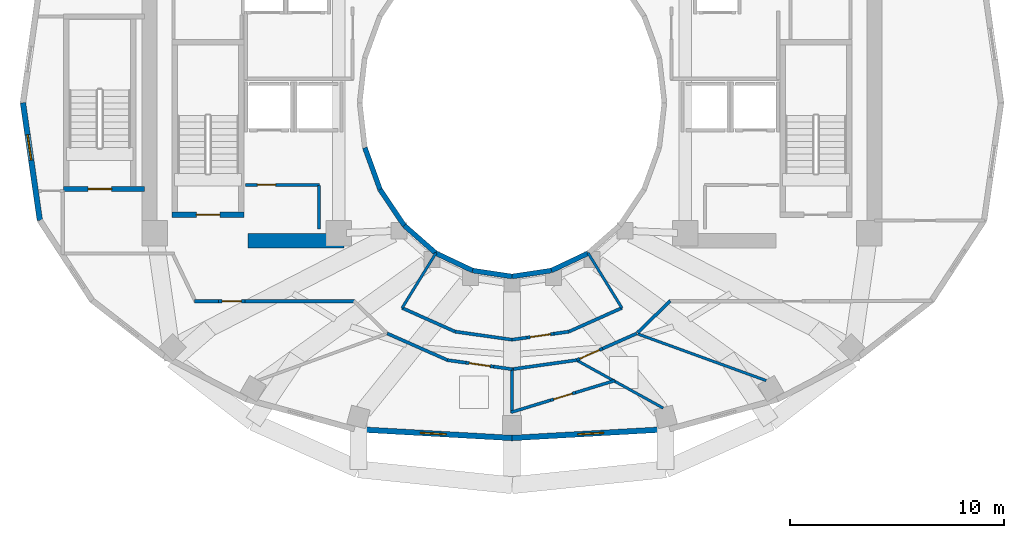
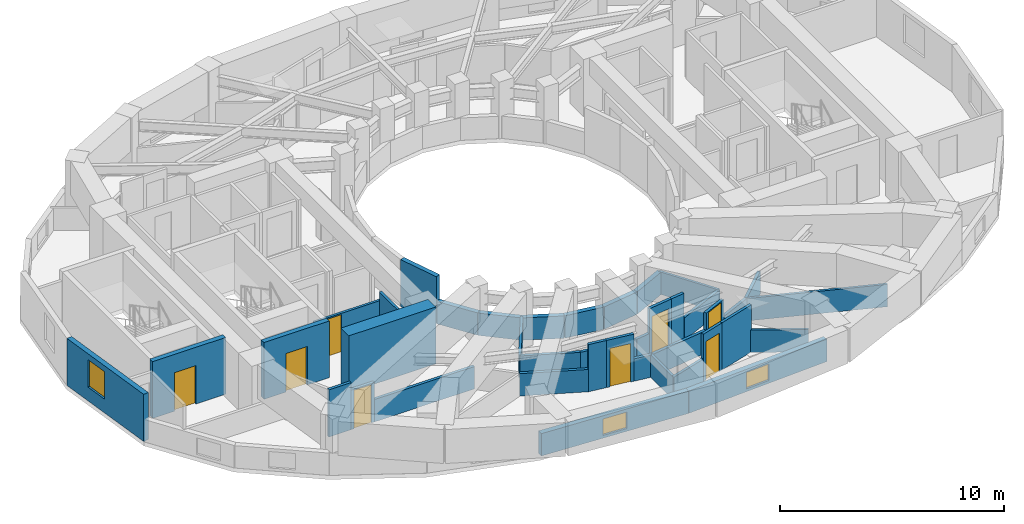
# One storey, part 3 of 9: 40 walls, 8 doors, 3 windows, 11 openings.
"""IFC4 building model written with IfcOpenShell, lengths in metres."""

import ifcopenshell
import ifcopenshell.guid

model = None  # the IFC model being written
_history = None  # IfcOwnerHistory: only IFC2X3 demands one
_inside = {}  # id of a spatial element -> (the spatial element, [elements in it])
_under = {}  # id of a project, library or spatial element -> (it, [spatial elements below it])
_declared = {}  # id of a project -> (the project, [libraries it declares])
_typed = {}  # id of a type object -> (the type object, [elements of that type])
_made_of = {}  # id of a material, layer set ... -> (it, [elements and type objects made of it])


def new_model(schema):
    """Start an empty IFC model of exactly this schema.

    Asked for "IFC4X3", IfcOpenShell would pick the latest addendum, in which some entities
    have other attributes; the version numbers below select the first issue.
    IFC2X3 requires an IfcOwnerHistory on every rooted entity: one is made here for all.
    """
    global model, _history
    if schema == "IFC4X3":
        model = ifcopenshell.file(schema_version=(4, 3, 0, 0))
    else:
        model = ifcopenshell.file(schema=schema)
    _inside.clear()
    _under.clear()
    _declared.clear()
    _typed.clear()
    _made_of.clear()
    _history = None
    if model.schema == "IFC2X3":
        org = make("IfcOrganization", Name="unknown")
        user = make(
            "IfcPersonAndOrganization",
            ThePerson=make("IfcPerson", FamilyName="unknown"),
            TheOrganization=org,
        )
        app = make(
            "IfcApplication",
            ApplicationDeveloper=org,
            Version="unknown",
            ApplicationFullName="unknown",
            ApplicationIdentifier="unknown",
        )
        _history = make(
            "IfcOwnerHistory",
            OwningUser=user,
            OwningApplication=app,
            ChangeAction="ADDED",
            CreationDate=0,
        )
    return model


def make(cls, **values):
    """One entity of the class cls with the attributes given. An attribute that is None is left unset."""
    return model.create_entity(
        cls, **{name: value for name, value in values.items() if value is not None}
    )


def rooted(cls, **values):
    """An entity with a GlobalId (a new one), such as an element, a storey or a relation."""
    return make(cls, GlobalId=ifcopenshell.guid.new(), OwnerHistory=_history, **values)


def si_unit(unit_type, name, prefix=None):
    """IfcSIUnit, for example si_unit("LENGTHUNIT", "METRE", prefix="MILLI")."""
    return make("IfcSIUnit", UnitType=unit_type, Prefix=prefix, Name=name)


def assignment(units):
    """IfcUnitAssignment: the units of a project."""
    return None if units is None else make("IfcUnitAssignment", Units=units)


def point(xyz):
    """IfcCartesianPoint."""
    return None if xyz is None else make("IfcCartesianPoint", Coordinates=xyz)


def direction(xyz):
    """IfcDirection."""
    return None if xyz is None else make("IfcDirection", DirectionRatios=xyz)


def frame(location, z_axis=None, x_axis=None):
    """IfcAxis2Placement3D, a coordinate frame: its origin and axes. An axis left out is left unset."""
    return make(
        "IfcAxis2Placement3D",
        Location=point(location),
        Axis=direction(z_axis),
        RefDirection=direction(x_axis),
    )


def frame_2d(location, x_axis=None):
    """IfcAxis2Placement2D, a coordinate frame in the plane: its origin and x axis."""
    return make(
        "IfcAxis2Placement2D", Location=point(location), RefDirection=direction(x_axis)
    )


def origin():
    """The frame at (0, 0, 0) with its axes left unset."""
    return frame((0.0, 0.0, 0.0))


def place(relative_to, where):
    """IfcLocalPlacement: puts the frame where relative to a parent placement (None: the world)."""
    return make(
        "IfcLocalPlacement", PlacementRelTo=relative_to, RelativePlacement=where
    )


def context(
    kind, dimensions, precision=None, world=None, true_north=None, identifier=None
):
    """IfcGeometricRepresentationContext, for example the 3D "Model" context."""
    return make(
        "IfcGeometricRepresentationContext",
        ContextIdentifier=identifier,
        ContextType=kind,
        CoordinateSpaceDimension=dimensions,
        Precision=precision,
        WorldCoordinateSystem=world,
        TrueNorth=true_north,
    )


def subcontext(parent, identifier, kind, view, scale=None):
    """IfcGeometricRepresentationSubContext, for example "Body" below "Model"."""
    return make(
        "IfcGeometricRepresentationSubContext",
        ContextIdentifier=identifier,
        ContextType=kind,
        ParentContext=parent,
        TargetScale=scale,
        TargetView=view,
    )


def project(units=None, contexts=None):
    """IfcProject with its units and contexts."""
    return rooted(
        "IfcProject",
        Name="project",
        RepresentationContexts=contexts,
        UnitsInContext=assignment(units),
    )


def spatial(cls, under=None, at=None, **own):
    """A site, building, storey or space (cls), placed at a placement, below another one or the project."""
    s = rooted(cls, ObjectPlacement=at, **own)
    if under is not None:
        _under.setdefault(under.id(), (under, []))[1].append(s)
    return s


def profile(cls, at=None, kind="AREA", **sizes):
    """A parametric profile (cls). Its sizes go by their IFC names, for example OverallWidth=200.0."""
    return make(cls, ProfileType=kind, Position=at, **sizes)


def rectangle(**sizes):
    """IfcRectangleProfileDef."""
    return profile("IfcRectangleProfileDef", **sizes)


def extrude(swept, where, along, depth):
    """IfcExtrudedAreaSolid: the profile swept, set in the frame where, extruded along a direction by depth."""
    return make(
        "IfcExtrudedAreaSolid",
        SweptArea=swept,
        Position=where,
        ExtrudedDirection=direction(along),
        Depth=depth,
    )


def shape(context_of_items, identifier, shape_type, items):
    """IfcShapeRepresentation: the items that make up one representation, for example the "Body"."""
    return make(
        "IfcShapeRepresentation",
        ContextOfItems=context_of_items,
        RepresentationIdentifier=identifier,
        RepresentationType=shape_type,
        Items=items,
    )


def material(Name=None, Category=None):
    """IfcMaterial."""
    return make("IfcMaterial", Name=Name, Category=Category)


def layer(
    of_material, thickness, ventilated=None, Name=None, Category=None, Priority=None
):
    """IfcMaterialLayer: one layer of a wall or slab, of a material (None: an air gap)."""
    return make(
        "IfcMaterialLayer",
        Material=of_material,
        LayerThickness=thickness,
        IsVentilated=ventilated,
        Name=Name,
        Category=Category,
        Priority=Priority,
    )


def layer_set(layers, Name=None):
    """IfcMaterialLayerSet."""
    return make("IfcMaterialLayerSet", MaterialLayers=layers, LayerSetName=Name)


def made_of(thing, what):
    """Note that an element or type object is made of a material, layer set ...; save() writes the relation."""
    if what is not None:
        _made_of.setdefault(what.id(), (what, []))[1].append(thing)
    return thing


def type_object(cls, material=None, **own):
    """A type object (cls), such as IfcWallType, which elements share."""
    return made_of(rooted(cls, **own), material)


def element(
    cls,
    number,
    at=None,
    inside=None,
    cuts=None,
    type_object=None,
    material=None,
    context=None,
    identifier="Body",
    shape_type=None,
    held_by="IfcProductDefinitionShape",
    body=None,
    shapes=None,
    **own,
):
    """One element of the class cls, such as IfcWall. Its Tag is "e" and its number.

    at: its placement. inside: the storey or other place that contains it. cuts: it is an
    opening in that element (IfcRelVoidsElement). A single representation is given by context,
    identifier, shape_type and body (its items); several are given by shapes. held_by: the class
    of the entity that holds the representations. save() writes the other relations.
    """
    e = rooted(cls, Tag="e%d" % number, ObjectPlacement=at, **own)
    if body is not None:
        shapes = [shape(context, identifier, shape_type, body)]
    if shapes is not None:
        e.Representation = make(held_by, Representations=shapes)
    if inside is not None:
        _inside.setdefault(inside.id(), (inside, []))[1].append(e)
    if cuts is not None:
        rooted(
            "IfcRelVoidsElement", RelatingBuildingElement=cuts, RelatedOpeningElement=e
        )
    if type_object is not None:
        _typed.setdefault(type_object.id(), (type_object, []))[1].append(e)
    return made_of(e, material)


def fill(opening, filler):
    """IfcRelFillsElement: the door or window that sits in an opening."""
    return rooted(
        "IfcRelFillsElement",
        RelatingOpeningElement=opening,
        RelatedBuildingElement=filler,
    )


def aggregate(whole, parts):
    """IfcRelAggregates: a whole, such as a stair, and the parts it consists of."""
    return rooted("IfcRelAggregates", RelatingObject=whole, RelatedObjects=parts)


def save(model, path):
    """Write the relations noted so far, then the file.

    IfcRelAggregates (storeys below a building ...), IfcRelContainedInSpatialStructure (elements
    in a storey), IfcRelDefinesByType, IfcRelAssociatesMaterial and IfcRelDeclares: one each for
    every whole, place, type object, material and project.
    """
    for whole, parts in _under.values():
        aggregate(whole, parts)
    for where, things in _inside.values():
        rooted(
            "IfcRelContainedInSpatialStructure",
            RelatedElements=things,
            RelatingStructure=where,
        )
    for kind, things in _typed.values():
        rooted("IfcRelDefinesByType", RelatedObjects=things, RelatingType=kind)
    for what, things in _made_of.values():
        rooted("IfcRelAssociatesMaterial", RelatedObjects=things, RelatingMaterial=what)
    for by, libraries in _declared.values():
        rooted("IfcRelDeclares", RelatingContext=by, RelatedDefinitions=libraries)
    model.write(path)


model = new_model("IFC4")

# Units and contexts
model_context = context("Model", 3, precision=1e-05, world=origin(), true_north=direction((0.0, 1.0)))
body_context = subcontext(model_context, "Body", "Model", "MODEL_VIEW")
ifc_project = project(units=[si_unit("LENGTHUNIT", "METRE"), si_unit("AREAUNIT", "SQUARE_METRE"), si_unit("VOLUMEUNIT", "CUBIC_METRE"), si_unit("PLANEANGLEUNIT", "RADIAN"), si_unit("MASSUNIT", "GRAM", prefix="KILO")], contexts=[model_context])

# Site, building, storey
site_placement = place(None, origin())
site = spatial("IfcSite", under=ifc_project, at=site_placement, CompositionType="ELEMENT")
building_placement = place(site_placement, origin())
building = spatial("IfcBuilding", under=site, at=building_placement, Name="Solvane Sanctuary Tower", CompositionType="ELEMENT")
storey_placement = place(building_placement, frame((0.0, 0.0, 168.39990234375)))
storey = spatial("IfcBuildingStorey", under=building, at=storey_placement, Name="L51", CompositionType="ELEMENT", Elevation=168.39990234375)

# Walls
ifc_material_1 = material(Name="Concrete C60/75", Category="concrete")
ifc_layer_1 = layer(ifc_material_1, 0.699951171875, Name="Concrete C60/75")
ifc_layer_set_1 = layer_set([ifc_layer_1], Name="Concrete C60/75")
wall_type_1 = type_object("IfcWallType", Name="Wall W-CORE-700", PredefinedType="SHEAR", material=ifc_layer_set_1)
wall_1_placement = place(storey_placement, frame((19.64990234375, 16.550048828125, 0.0), z_axis=(0.0, 0.0, 1.0), x_axis=(1.0, 0.0, 0.0)))
element("IfcWall", 1, at=wall_1_placement, inside=storey, type_object=wall_type_1, Name="L51 Core Shear Wall WC-S", PredefinedType="SHEAR", context=body_context, shape_type="SweptSolid", body=[
    extrude(rectangle(XDim=4.5, YDim=0.699951171875, at=frame_2d((2.25, 0.0))), origin(), (0.0, 0.0, 1.0), 3.10009765625),
])
ifc_material_2 = material(Name="Acoustic Gypsum Partition Board")
ifc_layer_2 = layer(ifc_material_2, 0.14990234375, Name="Acoustic Gypsum Partition Board")
ifc_layer_set_2 = layer_set([ifc_layer_2], Name="Acoustic Gypsum Partition Board")
wall_type_2 = type_object("IfcWallType", Name="Wall W-CORR-150", PredefinedType="PARTITIONING", material=ifc_layer_set_2)
wall_2_placement = place(storey_placement, frame((17.14990234375, 13.719970703125, 0.0), z_axis=(0.0, 0.0, 1.0), x_axis=(1.0, 0.0, 0.0)))
element("IfcWall", 2, at=wall_2_placement, inside=storey, type_object=wall_type_2, Name="L51 SW Corner Corridor Wall", PredefinedType="PARTITIONING", context=body_context, shape_type="SweptSolid", body=[
    extrude(rectangle(XDim=1.14013671875, YDim=0.14990234375, at=frame_2d((0.570068359375, 0.0))), origin(), (0.0, 0.0, 1.0), 2.5751953125),
])

# Wall, opening, door
wall_3_placement = place(storey_placement, frame((18.2900390625, 13.719970703125, 0.0), z_axis=(0.0, 0.0, 1.0), x_axis=(1.0, 0.0, 0.0)))
wall_3 = element("IfcWall", 3, at=wall_3_placement, inside=storey, type_object=wall_type_2, Name="L51 SW Corner Corridor Wall", PredefinedType="PARTITIONING", context=body_context, shape_type="SweptSolid", body=[
    extrude(rectangle(XDim=1.219970703125, YDim=0.14990234375, at=frame_2d((0.60986328125, 0.0))), origin(), (0.0, 0.0, 1.0), 2.16015625),
])
opening_1_placement = place(wall_3_placement, frame((0.159912109375, 0.0, 0.0)))
opening_1 = element("IfcOpeningElement", 4, at=opening_1_placement, cuts=wall_3, Name="Opening D-L51-15", PredefinedType="OPENING", context=body_context, shape_type="SweptSolid", body=[
    extrude(rectangle(XDim=0.89990234375, YDim=2.10009765625, at=frame_2d((0.449951171875, 1.050048828125))), frame((0.0, 0.0849609375, 0.0), z_axis=(0.0, -1.0, 0.0), x_axis=(1.0, 0.0, 0.0)), (0.0, 0.0, 1.0), 0.169921875),
])
ifc_material_3 = material(Name="Engineered Tropical Hardwood", Category="wood")
door_type_1 = type_object("IfcDoorType", Name="Door D-WET-900", OperationType="NOTDEFINED", PredefinedType="DOOR", material=ifc_material_3)
door_1_placement = place(opening_1_placement, origin())
door_1 = element("IfcDoor", 5, at=door_1_placement, inside=storey, type_object=door_type_1, Name="L51 SW Corner Salon Door", OperationType="SINGLE_SWING_LEFT", OverallHeight=2.10009765625, OverallWidth=0.89990234375, PredefinedType="DOOR", context=body_context, shape_type="SweptSolid", body=[
    extrude(rectangle(XDim=0.89990234375, YDim=2.10009765625, at=frame_2d((0.449951171875, 1.050048828125))), frame((0.0, 0.02490234375, 0.0), z_axis=(0.0, -1.0, 0.0), x_axis=(1.0, 0.0, 0.0)), (0.0, 0.0, 1.0), 0.050048828125),
])
fill(opening_1, door_1)

# Walls
wall_4_placement = place(storey_placement, frame((19.510009765625, 13.719970703125, 0.0), z_axis=(0.0, 0.0, 1.0), x_axis=(1.0, 0.0, 0.0)))
element("IfcWall", 6, at=wall_4_placement, inside=storey, type_object=wall_type_2, Name="L51 SW Corner Corridor Wall", PredefinedType="PARTITIONING", context=body_context, shape_type="SweptSolid", body=[
    extrude(rectangle(XDim=5.159912109375, YDim=0.14990234375, at=frame_2d((2.580078125, 0.0))), origin(), (0.0, 0.0, 1.0), 1.22021484375),
])
wall_5_placement = place(storey_placement, frame((37.867431640625, 12.251220703125, 0.0), z_axis=(0.0, 0.0, 1.0), x_axis=(0.717419568599, 0.696641344302, 0.0)))
element("IfcWall", 7, at=wall_5_placement, inside=storey, type_object=wall_type_2, Name="L51 SE Corner Throat Wall", PredefinedType="PARTITIONING", context=body_context, shape_type="SweptSolid", body=[
    extrude(rectangle(XDim=2.138427734375, YDim=0.14990234375, at=frame_2d((1.0693359375, 0.0))), origin(), (0.0, 0.0, 1.0), 1.22021484375),
])
wall_6_placement = place(storey_placement, frame((26.855712890625, 13.411865234375, 0.0), z_axis=(0.0, 0.0, 1.0), x_axis=(0.912985265053, -0.407992531545, 0.0)))
element("IfcWall", 8, at=wall_6_placement, inside=storey, type_object=wall_type_2, Name="L51 Inner Light-Well Corridor Wall S1", PredefinedType="PARTITIONING", context=body_context, shape_type="SweptSolid", body=[
    extrude(rectangle(XDim=2.723388671875, YDim=0.14990234375, at=frame_2d((1.36181640625, 0.0))), origin(), (0.0, 0.0, 1.0), 1.22021484375),
])
wall_7_placement = place(storey_placement, frame((29.338623046875, 12.302001953125, 0.0), z_axis=(0.0, 0.0, 1.0), x_axis=(0.990079774468, -0.140506370634, 0.0)))
element("IfcWall", 9, at=wall_7_placement, inside=storey, type_object=wall_type_2, Name="L51 Inner Light-Well Corridor Wall S1", PredefinedType="PARTITIONING", context=body_context, shape_type="SweptSolid", body=[
    extrude(rectangle(XDim=2.689697265625, YDim=0.14990234375, at=frame_2d((1.3447265625, 0.0))), origin(), (0.0, 0.0, 1.0), 1.22021484375),
])
wall_8_placement = place(storey_placement, frame((31.998291015625, 11.924072265625, 0.0), z_axis=(0.0, 0.0, 1.0), x_axis=(0.990107071323, 0.140313888538, 0.0)))
element("IfcWall", 10, at=wall_8_placement, inside=storey, type_object=wall_type_2, Name="L51 Inner Light-Well Corridor Wall S1", PredefinedType="PARTITIONING", context=body_context, shape_type="SweptSolid", body=[
    extrude(rectangle(XDim=0.7099609375, YDim=0.14990234375, at=frame_2d((0.35498046875, 0.0))), origin(), (0.0, 0.0, 1.0), 1.22021484375),
])

# Wall, opening, door
wall_9_placement = place(storey_placement, frame((32.701171875, 12.023681640625, 0.0), z_axis=(0.0, 0.0, 1.0), x_axis=(0.990075978744, 0.140533114653, 0.0)))
wall_9 = element("IfcWall", 11, at=wall_9_placement, inside=storey, type_object=wall_type_2, Name="L51 Inner Light-Well Corridor Wall S1", PredefinedType="PARTITIONING", context=body_context, shape_type="SweptSolid", body=[
    extrude(rectangle(XDim=1.27001953125, YDim=0.14990234375, at=frame_2d((0.635009765625, 0.0))), origin(), (0.0, 0.0, 1.0), 2.5751953125),
])
opening_2_placement = place(wall_9_placement, frame((0.159912109375, 0.0, 0.0)))
opening_2 = element("IfcOpeningElement", 12, at=opening_2_placement, cuts=wall_9, Name="Opening D-L51-17", PredefinedType="OPENING", context=body_context, shape_type="SweptSolid", body=[
    extrude(rectangle(XDim=0.949951171875, YDim=2.10009765625, at=frame_2d((0.47509765625, 1.050048828125))), frame((0.0, 0.0849609375, 0.0), z_axis=(0.0, -1.0, 0.0), x_axis=(1.0, 0.0, 0.0)), (0.0, 0.0, 1.0), 0.169921875),
])
door_type_2 = type_object("IfcDoorType", Name="Door D-ROOM-950", OperationType="NOTDEFINED", PredefinedType="DOOR", material=ifc_material_3)
door_2_placement = place(opening_2_placement, origin())
door_2 = element("IfcDoor", 13, at=door_2_placement, inside=storey, type_object=door_type_2, Name="L51 Inner Light-Well Salon Door S1", OperationType="SINGLE_SWING_LEFT", OverallHeight=2.10009765625, OverallWidth=0.949951171875, PredefinedType="DOOR", context=body_context, shape_type="SweptSolid", body=[
    extrude(rectangle(XDim=0.949951171875, YDim=2.10009765625, at=frame_2d((0.47509765625, 1.050048828125))), frame((0.0, 0.02490234375, 0.0), z_axis=(0.0, -1.0, 0.0), x_axis=(1.0, 0.0, 0.0)), (0.0, 0.0, 1.0), 0.050048828125),
])
fill(opening_2, door_2)

# Walls
wall_10_placement = place(storey_placement, frame((33.95849609375, 12.2021484375, 0.0), z_axis=(0.0, 0.0, 1.0), x_axis=(0.99005923875, 0.140650999878, 0.0)))
element("IfcWall", 14, at=wall_10_placement, inside=storey, type_object=wall_type_2, Name="L51 Inner Light-Well Corridor Wall S1", PredefinedType="PARTITIONING", context=body_context, shape_type="SweptSolid", body=[
    extrude(rectangle(XDim=0.7099609375, YDim=0.14990234375, at=frame_2d((0.35498046875, 0.0))), origin(), (0.0, 0.0, 1.0), 2.5751953125),
])
wall_11_placement = place(storey_placement, frame((34.657958984375, 12.30078125, 0.0), z_axis=(0.0, 0.0, 1.0), x_axis=(0.912985265053, 0.407992531545, 0.0)))
element("IfcWall", 15, at=wall_11_placement, inside=storey, type_object=wall_type_2, Name="L51 Inner Light-Well Corridor Wall S1", PredefinedType="PARTITIONING", context=body_context, shape_type="SweptSolid", body=[
    extrude(rectangle(XDim=2.723388671875, YDim=0.14990234375, at=frame_2d((1.36181640625, 0.0))), origin(), (0.0, 0.0, 1.0), 1.22021484375),
])
wall_12_placement = place(storey_placement, frame((31.950439453125, 10.537109375, 0.0), z_axis=(0.0, 0.0, 1.0), x_axis=(0.990254405439, 0.139270285808, 0.0)))
element("IfcWall", 16, at=wall_12_placement, inside=storey, type_object=wall_type_2, Name="L51 En-suite Inner Wall S1", PredefinedType="PARTITIONING", context=body_context, shape_type="SweptSolid", body=[
    extrude(rectangle(XDim=3.146728515625, YDim=0.14990234375, at=frame_2d((1.5732421875, 0.0))), origin(), (0.0, 0.0, 1.0), 1.22021484375),
])
wall_13_placement = place(storey_placement, frame((26.1650390625, 12.217041015625, 0.0), z_axis=(0.0, 0.0, 1.0), x_axis=(0.91445214467, -0.404694051239, 0.0)))
element("IfcWall", 17, at=wall_13_placement, inside=storey, type_object=wall_type_2, Name="L51 Unit Corridor Wall S1", PredefinedType="PARTITIONING", context=body_context, shape_type="SweptSolid", body=[
    extrude(rectangle(XDim=3.090576171875, YDim=0.14990234375, at=frame_2d((1.54541015625, 0.0))), origin(), (0.0, 0.0, 1.0), 1.22021484375),
])
wall_14_placement = place(storey_placement, frame((28.975341796875, 10.970703125, 0.0), z_axis=(0.0, 0.0, 1.0), x_axis=(0.990255371296, -0.139263418091, 0.0)))
element("IfcWall", 18, at=wall_14_placement, inside=storey, type_object=wall_type_2, Name="L51 Unit Corridor Wall S1", PredefinedType="PARTITIONING", context=body_context, shape_type="SweptSolid", body=[
    extrude(rectangle(XDim=0.871337890625, YDim=0.14990234375, at=frame_2d((0.435546875, 0.0))), origin(), (0.0, 0.0, 1.0), 2.5751953125),
])

# Wall, opening, door
wall_15_placement = place(storey_placement, frame((29.838134765625, 10.849365234375, 0.0), z_axis=(0.0, 0.0, 1.0), x_axis=(0.990228663531, -0.139453196171, 0.0)))
wall_15 = element("IfcWall", 19, at=wall_15_placement, inside=storey, type_object=wall_type_2, Name="L51 Unit Corridor Wall S1", PredefinedType="PARTITIONING", context=body_context, shape_type="SweptSolid", body=[
    extrude(rectangle(XDim=1.320068359375, YDim=0.14990234375, at=frame_2d((0.66015625, 0.0))), origin(), (0.0, 0.0, 1.0), 2.5751953125),
])
opening_3_placement = place(wall_15_placement, frame((0.159912109375, 0.0, 0.0)))
opening_3 = element("IfcOpeningElement", 20, at=opening_3_placement, cuts=wall_15, Name="Opening D-L51-22", PredefinedType="OPENING", context=body_context, shape_type="SweptSolid", body=[
    extrude(rectangle(XDim=1.0, YDim=2.10009765625, at=frame_2d((0.5, 1.050048828125))), frame((0.0, 0.0849609375, 0.0), z_axis=(0.0, -1.0, 0.0), x_axis=(1.0, 0.0, 0.0)), (0.0, 0.0, 1.0), 0.169921875),
])
door_type_3 = type_object("IfcDoorType", Name="Door D-UNIT", OperationType="NOTDEFINED", PredefinedType="DOOR", material=ifc_material_3)
door_3_placement = place(opening_3_placement, origin())
door_3 = element("IfcDoor", 21, at=door_3_placement, inside=storey, type_object=door_type_3, Name="L51 Unit Entrance Door S1", OperationType="SINGLE_SWING_RIGHT", OverallHeight=2.10009765625, OverallWidth=1.0, PredefinedType="DOOR", context=body_context, shape_type="SweptSolid", body=[
    extrude(rectangle(XDim=1.0, YDim=2.10009765625, at=frame_2d((0.5, 1.050048828125))), frame((0.0, 0.02490234375, 0.0), z_axis=(0.0, -1.0, 0.0), x_axis=(1.0, 0.0, 0.0)), (0.0, 0.0, 1.0), 0.050048828125),
])
fill(opening_3, door_3)

# Wall
wall_16_placement = place(storey_placement, frame((31.145263671875, 10.665283203125, 0.0), z_axis=(0.0, 0.0, 1.0), x_axis=(0.990255371296, -0.139263418091, 0.0)))
element("IfcWall", 22, at=wall_16_placement, inside=storey, type_object=wall_type_2, Name="L51 Unit Corridor Wall S1", PredefinedType="PARTITIONING", context=body_context, shape_type="SweptSolid", body=[
    extrude(rectangle(XDim=0.871337890625, YDim=0.14990234375, at=frame_2d((0.435546875, 0.0))), origin(), (0.0, 0.0, 1.0), 1.22021484375),
])

# Wall, opening, door
wall_17_placement = place(storey_placement, frame((35.025146484375, 10.973388671875, 0.0), z_axis=(0.0, 0.0, 1.0), x_axis=(0.914382646268, 0.404851054345, 0.0)))
wall_17 = element("IfcWall", 23, at=wall_17_placement, inside=storey, type_object=wall_type_2, Name="L51 Unit Corridor Wall S2", PredefinedType="PARTITIONING", context=body_context, shape_type="SweptSolid", body=[
    extrude(rectangle(XDim=1.320068359375, YDim=0.14990234375, at=frame_2d((0.66015625, 0.0))), origin(), (0.0, 0.0, 1.0), 2.16015625),
])
opening_4_placement = place(wall_17_placement, frame((0.159912109375, 0.0, 0.0)))
opening_4 = element("IfcOpeningElement", 24, at=opening_4_placement, cuts=wall_17, Name="Opening D-L51-23", PredefinedType="OPENING", context=body_context, shape_type="SweptSolid", body=[
    extrude(rectangle(XDim=1.0, YDim=2.10009765625, at=frame_2d((0.5, 1.050048828125))), frame((0.0, 0.0849609375, 0.0), z_axis=(0.0, -1.0, 0.0), x_axis=(1.0, 0.0, 0.0)), (0.0, 0.0, 1.0), 0.169921875),
])
door_4_placement = place(opening_4_placement, origin())
door_4 = element("IfcDoor", 25, at=door_4_placement, inside=storey, type_object=door_type_3, Name="L51 Unit Entrance Door S2", OperationType="SINGLE_SWING_LEFT", OverallHeight=2.10009765625, OverallWidth=1.0, PredefinedType="DOOR", context=body_context, shape_type="SweptSolid", body=[
    extrude(rectangle(XDim=1.0, YDim=2.10009765625, at=frame_2d((0.5, 1.050048828125))), frame((0.0, 0.02490234375, 0.0), z_axis=(0.0, -1.0, 0.0), x_axis=(1.0, 0.0, 0.0)), (0.0, 0.0, 1.0), 0.050048828125),
])
fill(opening_4, door_4)

# Wall
wall_18_placement = place(storey_placement, frame((36.232177734375, 11.5078125, 0.0), z_axis=(0.0, 0.0, 1.0), x_axis=(0.91447091359, 0.404651638077, 0.0)))
element("IfcWall", 26, at=wall_18_placement, inside=storey, type_object=wall_type_2, Name="L51 Unit Corridor Wall S2", PredefinedType="PARTITIONING", context=body_context, shape_type="SweptSolid", body=[
    extrude(rectangle(XDim=1.752685546875, YDim=0.14990234375, at=frame_2d((0.87646484375, 0.0))), origin(), (0.0, 0.0, 1.0), 1.22021484375),
])

# Wall, opening, window
ifc_material_4 = material(Name="Precast concrete C40/50", Category="concrete")
ifc_layer_3 = layer(ifc_material_4, 0.260009765625, Name="Precast concrete C40/50")
ifc_layer_set_3 = layer_set([ifc_layer_3], Name="Precast concrete C40/50")
wall_type_3 = type_object("IfcWallType", Name="Wall W-EXT-250", PredefinedType="STANDARD", material=ifc_layer_set_3)
wall_19_placement = place(storey_placement, frame((9.139892578125, 23.0, 0.0), z_axis=(0.0, 0.0, 1.0), x_axis=(0.142227632286, -0.989833976288, 0.0)))
wall_19 = element("IfcWall", 27, at=wall_19_placement, inside=storey, type_object=wall_type_3, Name="L51 Ceramic-Printed Facade Wall 12", PredefinedType="STANDARD", context=body_context, shape_type="SweptSolid", body=[
    extrude(rectangle(XDim=5.552978515625, YDim=0.260009765625, at=frame_2d((2.7763671875, 0.0))), origin(), (0.0, 0.0, 1.0), 2.570068359375),
])
opening_5_placement = place(wall_19_placement, frame((1.506103515625, 0.0, 0.75)))
opening_5 = element("IfcOpeningElement", 28, at=opening_5_placement, cuts=wall_19, Name="Opening WN-OPER-1200", PredefinedType="OPENING", context=body_context, shape_type="SweptSolid", body=[
    extrude(rectangle(XDim=1.199951171875, YDim=1.5, at=frame_2d((0.60009765625, 0.75))), frame((0.0, 0.139892578125, 0.0), z_axis=(0.0, -1.0, 0.0), x_axis=(1.0, 0.0, 0.0)), (0.0, 0.0, 1.0), 0.280029296875),
])
ifc_material_5 = material(Name="Dark Ceramic-Fritted Low-E Glass", Category="glass")
window_type = type_object("IfcWindowType", Name="Window WN-OPER-1200", PartitioningType="SINGLE_PANEL", PredefinedType="WINDOW", material=ifc_material_5)
window_1_placement = place(opening_5_placement, origin())
window_1 = element("IfcWindow", 29, at=window_1_placement, inside=storey, type_object=window_type, Name="L51 Operable Facade Window 12", OverallHeight=1.5, OverallWidth=1.199951171875, PartitioningType="SINGLE_PANEL", PredefinedType="WINDOW", context=body_context, shape_type="SweptSolid", body=[
    extrude(rectangle(XDim=1.199951171875, YDim=1.5, at=frame_2d((0.60009765625, 0.75))), frame((0.0, 0.030029296875, 0.0), z_axis=(0.0, -1.0, 0.0), x_axis=(1.0, 0.0, 0.0)), (0.0, 0.0, 1.0), 0.06005859375),
])
fill(opening_5, window_1)

wall_20_placement = place(storey_placement, frame((24.634765625, 7.743408203125, 0.0), z_axis=(0.0, 0.0, 1.0), x_axis=(0.998417906562, -0.056228852534, 0.0)))
wall_20 = element("IfcWall", 30, at=wall_20_placement, inside=storey, type_object=wall_type_3, Name="L51 Ceramic-Printed Facade Wall 17", PredefinedType="STANDARD", context=body_context, shape_type="SweptSolid", body=[
    extrude(rectangle(XDim=7.376953125, YDim=0.260009765625, at=frame_2d((3.6884765625, 0.0))), origin(), (0.0, 0.0, 1.0), 1.22021484375),
])
opening_6_placement = place(wall_20_placement, frame((3.08837890625, 0.0, 0.14990234375)))
opening_6 = element("IfcOpeningElement", 31, at=opening_6_placement, cuts=wall_20, Name="Opening WN-OPER-1200", PredefinedType="OPENING", context=body_context, shape_type="SweptSolid", body=[
    extrude(rectangle(XDim=1.199951171875, YDim=0.89990234375, at=frame_2d((0.60009765625, 0.449951171875))), frame((0.0, 0.139892578125, 0.0), z_axis=(0.0, -1.0, 0.0), x_axis=(1.0, 0.0, 0.0)), (0.0, 0.0, 1.0), 0.280029296875),
])
window_2_placement = place(opening_6_placement, origin())
window_2 = element("IfcWindow", 32, at=window_2_placement, inside=storey, type_object=window_type, Name="L51 Operable Facade Window 17", OverallHeight=0.89990234375, OverallWidth=1.199951171875, PartitioningType="SINGLE_PANEL", PredefinedType="WINDOW", context=body_context, shape_type="SweptSolid", body=[
    extrude(rectangle(XDim=1.199951171875, YDim=0.89990234375, at=frame_2d((0.60009765625, 0.449951171875))), frame((0.0, 0.030029296875, 0.0), z_axis=(0.0, -1.0, 0.0), x_axis=(1.0, 0.0, 0.0)), (0.0, 0.0, 1.0), 0.06005859375),
])
fill(opening_6, window_2)

wall_21_placement = place(storey_placement, frame((32.0, 7.32861328125, 0.0), z_axis=(0.0, 0.0, 1.0), x_axis=(0.998417906562, 0.056228852534, 0.0)))
wall_21 = element("IfcWall", 33, at=wall_21_placement, inside=storey, type_object=wall_type_3, Name="L51 Ceramic-Printed Facade Wall 18", PredefinedType="STANDARD", context=body_context, shape_type="SweptSolid", body=[
    extrude(rectangle(XDim=7.376953125, YDim=0.260009765625, at=frame_2d((3.6884765625, 0.0))), origin(), (0.0, 0.0, 1.0), 1.22021484375),
])
opening_7_placement = place(wall_21_placement, frame((3.08837890625, 0.0, 0.14990234375)))
opening_7 = element("IfcOpeningElement", 34, at=opening_7_placement, cuts=wall_21, Name="Opening WN-OPER-1200", PredefinedType="OPENING", context=body_context, shape_type="SweptSolid", body=[
    extrude(rectangle(XDim=1.199951171875, YDim=0.89990234375, at=frame_2d((0.60009765625, 0.449951171875))), frame((0.0, 0.139892578125, 0.0), z_axis=(0.0, -1.0, 0.0), x_axis=(1.0, 0.0, 0.0)), (0.0, 0.0, 1.0), 0.280029296875),
])
window_3_placement = place(opening_7_placement, origin())
window_3 = element("IfcWindow", 35, at=window_3_placement, inside=storey, type_object=window_type, Name="L51 Operable Facade Window 18", OverallHeight=0.89990234375, OverallWidth=1.199951171875, PartitioningType="SINGLE_PANEL", PredefinedType="WINDOW", context=body_context, shape_type="SweptSolid", body=[
    extrude(rectangle(XDim=1.199951171875, YDim=0.89990234375, at=frame_2d((0.60009765625, 0.449951171875))), frame((0.0, 0.030029296875, 0.0), z_axis=(0.0, -1.0, 0.0), x_axis=(1.0, 0.0, 0.0)), (0.0, 0.0, 1.0), 0.06005859375),
])
fill(opening_7, window_3)

# Walls
ifc_layer_4 = layer(ifc_material_4, 0.22998046875, Name="Precast concrete C40/50")
ifc_layer_set_4 = layer_set([ifc_layer_4], Name="Precast concrete C40/50")
wall_type_4 = type_object("IfcWallType", Name="Wall W-EXT-SP220", PredefinedType="STANDARD", material=ifc_layer_set_4)
wall_22_placement = place(storey_placement, frame((25.12255859375, 20.8984375, 0.0), z_axis=(0.0, 0.0, 1.0), x_axis=(0.341423187295, -0.93990968033, 0.0)))
element("IfcWall", 36, at=wall_22_placement, inside=storey, type_object=wall_type_4, Name="L51 Central Light-Well Wall 13", PredefinedType="STANDARD", context=body_context, shape_type="SweptSolid", body=[
    extrude(rectangle(XDim=2.083740234375, YDim=0.22998046875, at=frame_2d((1.0419921875, 0.0))), origin(), (0.0, 0.0, 1.0), 2.56005859375),
])
wall_23_placement = place(storey_placement, frame((25.833984375, 18.93994140625, 0.0), z_axis=(0.0, 0.0, 1.0), x_axis=(0.558197800898, -0.829707909492, 0.0)))
element("IfcWall", 37, at=wall_23_placement, inside=storey, type_object=wall_type_4, Name="L51 Central Light-Well Wall 14", PredefinedType="STANDARD", context=body_context, shape_type="SweptSolid", body=[
    extrude(rectangle(XDim=2.02685546875, YDim=0.22998046875, at=frame_2d((1.013427734375, 0.0))), origin(), (0.0, 0.0, 1.0), 1.22021484375),
])
wall_24_placement = place(storey_placement, frame((26.96533203125, 17.25830078125, 0.0), z_axis=(0.0, 0.0, 1.0), x_axis=(0.752576694707, -0.658504607869, 0.0)))
element("IfcWall", 38, at=wall_24_placement, inside=storey, type_object=wall_type_4, Name="L51 Central Light-Well Wall 15", PredefinedType="STANDARD", context=body_context, shape_type="SweptSolid", body=[
    extrude(rectangle(XDim=1.95947265625, YDim=0.22998046875, at=frame_2d((0.979736328125, 0.0))), origin(), (0.0, 0.0, 1.0), 1.22021484375),
])
wall_25_placement = place(storey_placement, frame((28.43994140625, 15.968017578125, 0.0), z_axis=(0.0, 0.0, 1.0), x_axis=(0.904179699603, -0.427152280606, 0.0)))
element("IfcWall", 39, at=wall_25_placement, inside=storey, type_object=wall_type_4, Name="L51 Central Light-Well Wall 16", PredefinedType="STANDARD", context=body_context, shape_type="SweptSolid", body=[
    extrude(rectangle(XDim=1.899169921875, YDim=0.22998046875, at=frame_2d((0.94970703125, 0.0))), origin(), (0.0, 0.0, 1.0), 1.22021484375),
])
for number, where, z_axis, x_axis, name in (
    (40, (30.1572265625, 15.15673828125, 0.0), (0.0, 0.0, 1.0), (0.988901730308, -0.148571086668, 0.0), "L51 Central Light-Well Wall 17"),
    (41, (32.0, 14.8798828125, 0.0), (0.0, 0.0, 1.0), (0.988901730308, 0.148571086668, 0.0), "L51 Central Light-Well Wall 18"),
):
    element("IfcWall", number, at=place(storey_placement, frame(where, z_axis=z_axis, x_axis=x_axis)), inside=storey, type_object=wall_type_4, Name=name, PredefinedType="STANDARD", context=body_context, shape_type="SweptSolid", body=[
        extrude(rectangle(XDim=1.863525390625, YDim=0.22998046875, at=frame_2d((0.931640625, 0.0))), origin(), (0.0, 0.0, 1.0), 1.22021484375),
    ])
wall_26_placement = place(storey_placement, frame((33.8427734375, 15.15673828125, 0.0), z_axis=(0.0, 0.0, 1.0), x_axis=(0.904179699603, 0.427152280606, 0.0)))
element("IfcWall", 42, at=wall_26_placement, inside=storey, type_object=wall_type_4, Name="L51 Central Light-Well Wall 19", PredefinedType="STANDARD", context=body_context, shape_type="SweptSolid", body=[
    extrude(rectangle(XDim=1.899169921875, YDim=0.22998046875, at=frame_2d((0.94970703125, 0.0))), origin(), (0.0, 0.0, 1.0), 1.22021484375),
])

# Wall, opening, door
ifc_layer_5 = layer(ifc_material_2, 0.125, Name="Acoustic Gypsum Partition Board")
ifc_layer_set_5 = layer_set([ifc_layer_5], Name="Acoustic Gypsum Partition Board")
wall_type_5 = type_object("IfcWallType", Name="Wall W-PART-125", PredefinedType="PARTITIONING", material=ifc_layer_set_5)
wall_27_placement = place(storey_placement, frame((19.550048828125, 19.159912109375, 0.0), z_axis=(0.0, 0.0, 1.0), x_axis=(1.0, 0.0, 0.0)))
wall_27 = element("IfcWall", 43, at=wall_27_placement, inside=storey, type_object=wall_type_5, Name="L51 Reclaimed Room Partition PLW", PredefinedType="PARTITIONING", context=body_context, shape_type="SweptSolid", body=[
    extrude(rectangle(XDim=3.449951171875, YDim=0.125, at=frame_2d((1.72509765625, 0.0))), origin(), (0.0, 0.0, 1.0), 2.1201171875),
])
opening_8_placement = place(wall_27_placement, frame((0.550048828125, 0.0, 0.0)))
opening_8 = element("IfcOpeningElement", 44, at=opening_8_placement, cuts=wall_27, Name="Opening D-L51-06", PredefinedType="OPENING", context=body_context, shape_type="SweptSolid", body=[
    extrude(rectangle(XDim=0.85009765625, YDim=2.050048828125, at=frame_2d((0.425048828125, 1.02490234375))), frame((0.0, 0.072509765625, 0.0), z_axis=(0.0, -1.0, 0.0), x_axis=(1.0, 0.0, 0.0)), (0.0, 0.0, 1.0), 0.14501953125),
])
ifc_material_6 = material(Name="Architectural Stainless Steel 316", Category="steel")
door_type_4 = type_object("IfcDoorType", Name="Door D-RISER", OperationType="NOTDEFINED", PredefinedType="DOOR", material=ifc_material_6)
door_5_placement = place(opening_8_placement, origin())
door_5 = element("IfcDoor", 45, at=door_5_placement, inside=storey, type_object=door_type_4, Name="L51 Reclaimed Room Door PLW-1", OperationType="SINGLE_SWING_RIGHT", OverallHeight=2.050048828125, OverallWidth=0.85009765625, PredefinedType="DOOR", context=body_context, shape_type="SweptSolid", body=[
    extrude(rectangle(XDim=0.85009765625, YDim=2.050048828125, at=frame_2d((0.425048828125, 1.02490234375))), frame((0.0, 0.02490234375, 0.0), z_axis=(0.0, -1.0, 0.0), x_axis=(1.0, 0.0, 0.0)), (0.0, 0.0, 1.0), 0.050048828125),
])
fill(opening_8, door_5)

# Walls
wall_28_placement = place(storey_placement, frame((22.97998046875, 17.10009765625, 0.0), z_axis=(0.0, 0.0, 1.0), x_axis=(0.0, 1.0, 0.0)))
element("IfcWall", 46, at=wall_28_placement, inside=storey, type_object=wall_type_5, Name="L51 Reclaimed Room Closer Wall PLW-1", PredefinedType="PARTITIONING", context=body_context, shape_type="SweptSolid", body=[
    extrude(rectangle(XDim=2.039794921875, YDim=0.125, at=frame_2d((1.02001953125, 0.0))), origin(), (0.0, 0.0, 1.0), 2.5751953125),
])
for number, where, z_axis, x_axis, name in (
    (47, (28.449951171875, 15.985107421875, 0.0), (0.0, 0.0, 1.0), (-0.524565340045, -0.851370192116, 0.0), "L51 Inner Light-Well Radial Wall 240"),
    (48, (35.550048828125, 15.985107421875, 0.0), (0.0, 0.0, 1.0), (0.524565340045, -0.851370192116, 0.0), "L51 Inner Light-Well Radial Wall 300"),
):
    element("IfcWall", number, at=place(storey_placement, frame(where, z_axis=z_axis, x_axis=x_axis)), inside=storey, type_object=wall_type_5, Name=name, PredefinedType="PARTITIONING", context=body_context, shape_type="SweptSolid", body=[
        extrude(rectangle(XDim=3.027099609375, YDim=0.125, at=frame_2d((1.513671875, 0.0))), origin(), (0.0, 0.0, 1.0), 1.22021484375),
    ])
wall_29_placement = place(storey_placement, frame((35.06494140625, 10.94189453125, 0.0), z_axis=(0.0, 0.0, 1.0), x_axis=(0.875077338582, -0.48398311076, 0.0)))
element("IfcWall", 49, at=wall_29_placement, inside=storey, type_object=wall_type_5, Name="L51 Radial Compartment Wall 285", PredefinedType="PARTITIONING", context=body_context, shape_type="SweptSolid", body=[
    extrude(rectangle(XDim=4.5732421875, YDim=0.125, at=frame_2d((2.28662109375, 0.0))), origin(), (0.0, 0.0, 1.0), 1.22021484375),
])
wall_30_placement = place(storey_placement, frame((37.879638671875, 12.194091796875, 0.0), z_axis=(0.0, 0.0, 1.0), x_axis=(0.939901628116, -0.341445353557, 0.0)))
element("IfcWall", 50, at=wall_30_placement, inside=storey, type_object=wall_type_5, Name="L51 Radial Compartment Wall 300", PredefinedType="PARTITIONING", context=body_context, shape_type="SweptSolid", body=[
    extrude(rectangle(XDim=6.38720703125, YDim=0.125, at=frame_2d((3.193603515625, 0.0))), origin(), (0.0, 0.0, 1.0), 1.22021484375),
])

# Wall, opening, door
ifc_material_7 = material(Name="Concrete C50/60", Category="concrete")
ifc_layer_6 = layer(ifc_material_7, 0.25, Name="Concrete C50/60")
ifc_layer_set_6 = layer_set([ifc_layer_6], Name="Concrete C50/60")
wall_type_6 = type_object("IfcWallType", Name="Wall W-SHAFT-250", PredefinedType="SOLIDWALL", material=ifc_layer_set_6)
wall_31_placement = place(storey_placement, frame((16.10498046875, 17.77001953125, 0.0), z_axis=(0.0, 0.0, 1.0), x_axis=(1.0, 0.0, 0.0)))
wall_31 = element("IfcWall", 51, at=wall_31_placement, inside=storey, type_object=wall_type_6, Name="L51 ST-1 Load-Bearing Shaft Wall S", PredefinedType="SOLIDWALL", context=body_context, shape_type="SweptSolid", body=[
    extrude(rectangle(XDim=3.3701171875, YDim=0.25, at=frame_2d((1.68505859375, 0.0))), origin(), (0.0, 0.0, 1.0), 3.10009765625),
])
opening_9_placement = place(wall_31_placement, frame((1.135009765625, 0.0, 0.0)))
opening_9 = element("IfcOpeningElement", 52, at=opening_9_placement, cuts=wall_31, Name="Opening D-L51-01", PredefinedType="OPENING", context=body_context, shape_type="SweptSolid", body=[
    extrude(rectangle(XDim=1.10009765625, YDim=2.10009765625, at=frame_2d((0.550048828125, 1.050048828125))), frame((0.0, 0.135009765625, 0.0), z_axis=(0.0, -1.0, 0.0), x_axis=(1.0, 0.0, 0.0)), (0.0, 0.0, 1.0), 0.27001953125),
])
door_type_5 = type_object("IfcDoorType", Name="Door D-STAIR", OperationType="NOTDEFINED", PredefinedType="DOOR", material=ifc_material_6)
door_6_placement = place(opening_9_placement, origin())
door_6 = element("IfcDoor", 53, at=door_6_placement, inside=storey, type_object=door_type_5, Name="L51 ST-1 Exit Stair Fire Door", OperationType="SINGLE_SWING_LEFT", OverallHeight=2.10009765625, OverallWidth=1.10009765625, PredefinedType="DOOR", context=body_context, shape_type="SweptSolid", body=[
    extrude(rectangle(XDim=1.10009765625, YDim=2.10009765625, at=frame_2d((0.550048828125, 1.050048828125))), frame((0.0, 0.02490234375, 0.0), z_axis=(0.0, -1.0, 0.0), x_axis=(1.0, 0.0, 0.0)), (0.0, 0.0, 1.0), 0.050048828125),
])
fill(opening_9, door_6)

wall_32_placement = place(storey_placement, frame((11.044921875, 18.969970703125, 0.0), z_axis=(0.0, 0.0, 1.0), x_axis=(1.0, 0.0, 0.0)))
wall_32 = element("IfcWall", 54, at=wall_32_placement, inside=storey, type_object=wall_type_6, Name="L51 ST-3 Load-Bearing Shaft Wall S", PredefinedType="SOLIDWALL", context=body_context, shape_type="SweptSolid", body=[
    extrude(rectangle(XDim=3.781982421875, YDim=0.25, at=frame_2d((1.89111328125, 0.0))), origin(), (0.0, 0.0, 1.0), 3.10009765625),
])
opening_10_placement = place(wall_32_placement, frame((1.135009765625, 0.0, 0.0)))
opening_10 = element("IfcOpeningElement", 55, at=opening_10_placement, cuts=wall_32, Name="Opening D-L51-03", PredefinedType="OPENING", context=body_context, shape_type="SweptSolid", body=[
    extrude(rectangle(XDim=1.10009765625, YDim=2.10009765625, at=frame_2d((0.550048828125, 1.050048828125))), frame((0.0, 0.135009765625, 0.0), z_axis=(0.0, -1.0, 0.0), x_axis=(1.0, 0.0, 0.0)), (0.0, 0.0, 1.0), 0.27001953125),
])
door_7_placement = place(opening_10_placement, origin())
door_7 = element("IfcDoor", 56, at=door_7_placement, inside=storey, type_object=door_type_5, Name="L51 ST-3 Exit Stair Fire Door", OperationType="SINGLE_SWING_LEFT", OverallHeight=2.10009765625, OverallWidth=1.10009765625, PredefinedType="DOOR", context=body_context, shape_type="SweptSolid", body=[
    extrude(rectangle(XDim=1.10009765625, YDim=2.10009765625, at=frame_2d((0.550048828125, 1.050048828125))), frame((0.0, 0.02490234375, 0.0), z_axis=(0.0, -1.0, 0.0), x_axis=(1.0, 0.0, 0.0)), (0.0, 0.0, 1.0), 0.050048828125),
])
fill(opening_10, door_7)

# Walls
ifc_layer_7 = layer(ifc_material_2, 0.139892578125, Name="Acoustic Gypsum Partition Board")
ifc_layer_set_7 = layer_set([ifc_layer_7], Name="Acoustic Gypsum Partition Board")
wall_type_7 = type_object("IfcWallType", Name="Wall W-WET-140", PredefinedType="PLUMBINGWALL", material=ifc_layer_set_7)
wall_33_placement = place(storey_placement, frame((32.0, 10.593994140625, 0.0), z_axis=(0.0, 0.0, 1.0), x_axis=(0.0, -1.0, 0.0)))
element("IfcWall", 57, at=wall_33_placement, inside=storey, type_object=wall_type_7, Name="L51 En-suite Side Partition S1", PredefinedType="PLUMBINGWALL", context=body_context, shape_type="SweptSolid", body=[
    extrude(rectangle(XDim=2.10009765625, YDim=0.139892578125, at=frame_2d((1.050048828125, 0.0))), origin(), (0.0, 0.0, 1.0), 1.22021484375),
])
wall_34_placement = place(storey_placement, frame((31.9521484375, 8.529296875, 0.0), z_axis=(0.0, 0.0, 1.0), x_axis=(0.956353532472, 0.292212116328, 0.0)))
element("IfcWall", 58, at=wall_34_placement, inside=storey, type_object=wall_type_7, Name="L51 En-suite Bedroom Wall S1", PredefinedType="PLUMBINGWALL", context=body_context, shape_type="SweptSolid", body=[
    extrude(rectangle(XDim=1.932373046875, YDim=0.139892578125, at=frame_2d((0.96630859375, 0.0))), origin(), (0.0, 0.0, 1.0), 1.22021484375),
])

# Wall, opening, door
wall_35_placement = place(storey_placement, frame((33.80029296875, 9.093994140625, 0.0), z_axis=(0.0, 0.0, 1.0), x_axis=(0.956348463413, 0.292228705857, 0.0)))
wall_35 = element("IfcWall", 59, at=wall_35_placement, inside=storey, type_object=wall_type_7, Name="L51 En-suite Bedroom Wall S1", PredefinedType="PLUMBINGWALL", context=body_context, shape_type="SweptSolid", body=[
    extrude(rectangle(XDim=1.2197265625, YDim=0.139892578125, at=frame_2d((0.60986328125, 0.0))), origin(), (0.0, 0.0, 1.0), 2.5751953125),
])
opening_11_placement = place(wall_35_placement, frame((0.159912109375, 0.0, 0.0)))
opening_11 = element("IfcOpeningElement", 60, at=opening_11_placement, cuts=wall_35, Name="Opening D-L51-21", PredefinedType="OPENING", context=body_context, shape_type="SweptSolid", body=[
    extrude(rectangle(XDim=0.89990234375, YDim=2.10009765625, at=frame_2d((0.449951171875, 1.050048828125))), frame((0.0, 0.079833984375, 0.0), z_axis=(0.0, -1.0, 0.0), x_axis=(1.0, 0.0, 0.0)), (0.0, 0.0, 1.0), 0.159912109375),
])
door_8_placement = place(opening_11_placement, origin())
door_8 = element("IfcDoor", 61, at=door_8_placement, inside=storey, type_object=door_type_1, Name="L51 En-suite Bathroom Door S1", OperationType="SINGLE_SWING_LEFT", OverallHeight=2.10009765625, OverallWidth=0.89990234375, PredefinedType="DOOR", context=body_context, shape_type="SweptSolid", body=[
    extrude(rectangle(XDim=0.89990234375, YDim=2.10009765625, at=frame_2d((0.449951171875, 1.050048828125))), frame((0.0, 0.02490234375, 0.0), z_axis=(0.0, -1.0, 0.0), x_axis=(1.0, 0.0, 0.0)), (0.0, 0.0, 1.0), 0.050048828125),
])
fill(opening_11, door_8)

# Wall
wall_36_placement = place(storey_placement, frame((34.966796875, 9.450439453125, 0.0), z_axis=(0.0, 0.0, 1.0), x_axis=(0.956342743061, 0.292247425644, 0.0)))
element("IfcWall", 62, at=wall_36_placement, inside=storey, type_object=wall_type_7, Name="L51 En-suite Bedroom Wall S1", PredefinedType="PLUMBINGWALL", context=body_context, shape_type="SweptSolid", body=[
    extrude(rectangle(XDim=1.932373046875, YDim=0.139892578125, at=frame_2d((0.96630859375, 0.0))), origin(), (0.0, 0.0, 1.0), 2.5751953125),
])

save(model, "model.ifc")
